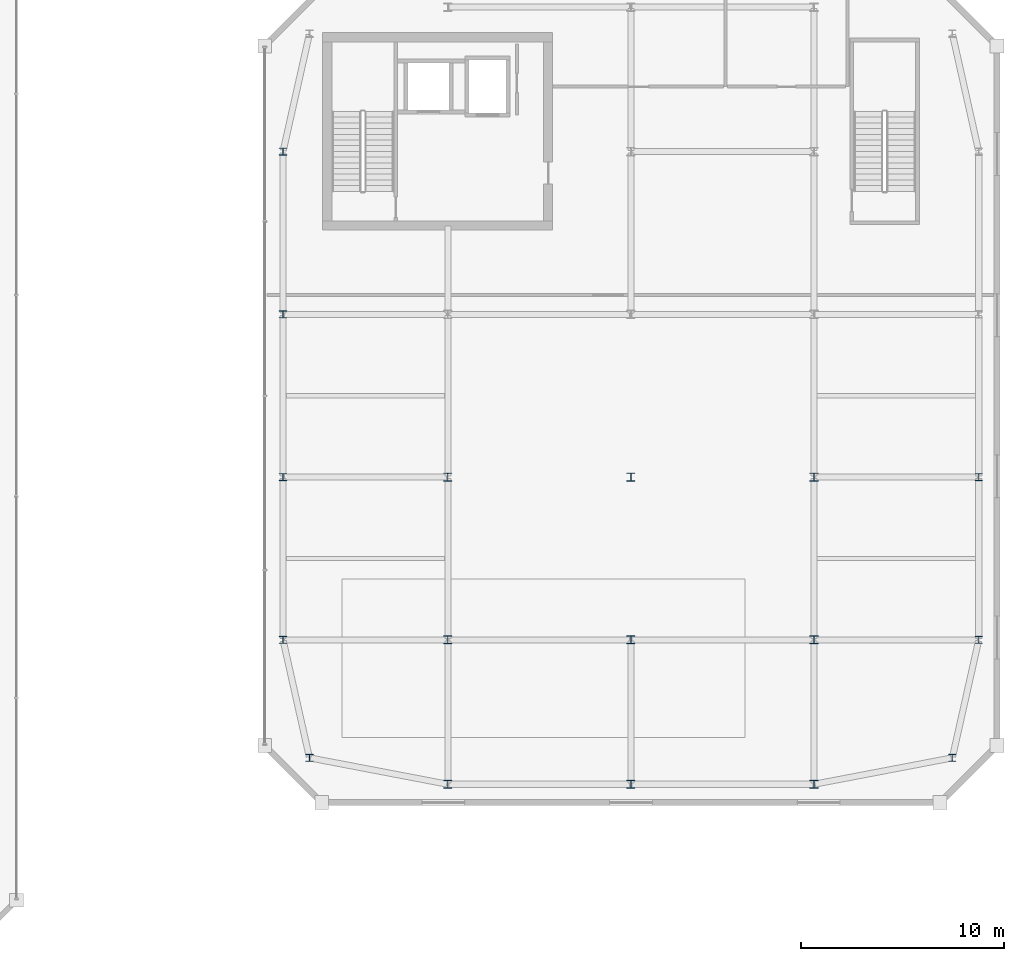
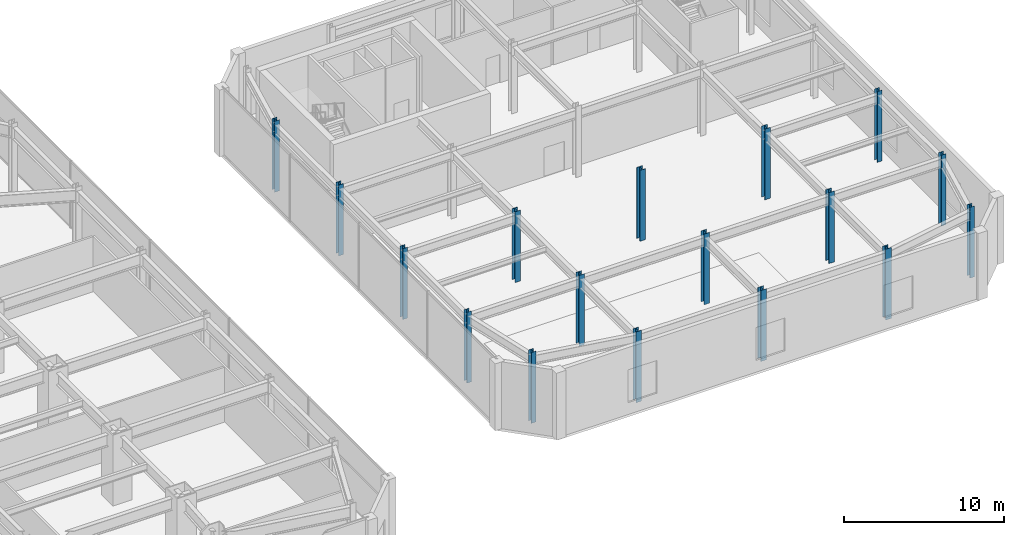
# One storey, part 6 of 51: 17 columns.
"""IFC4 building model written with IfcOpenShell, lengths in metres."""

from ifc_helpers import new_model, si_unit, direction, frame, origin, origin_2d, place, context, subcontext, project, spatial, i_section, extrude, material, material_profile, profile_set, type_object, element, save


model = new_model("IFC4")

# Units and contexts
model_context = context("Model", 3, precision=1e-05, world=origin(), true_north=direction((0.0, 1.0)))
body_context = subcontext(model_context, "Body", "Model", "MODEL_VIEW")
ifc_project = project(units=[si_unit("LENGTHUNIT", "METRE"), si_unit("AREAUNIT", "SQUARE_METRE"), si_unit("VOLUMEUNIT", "CUBIC_METRE"), si_unit("PLANEANGLEUNIT", "RADIAN"), si_unit("MASSUNIT", "GRAM", prefix="KILO")], contexts=[model_context])

# Site, building, storey
site_placement = place(None, origin())
site = spatial("IfcSite", under=ifc_project, at=site_placement, CompositionType="ELEMENT")
building_placement = place(site_placement, origin())
building = spatial("IfcBuilding", under=site, at=building_placement, Name="Saevonmaru Cultural Tower", CompositionType="ELEMENT")
storey_placement = place(building_placement, frame((0.0, 0.0, 6.0)))
storey = spatial("IfcBuildingStorey", under=building, at=storey_placement, Name="L01", CompositionType="ELEMENT", Elevation=6.0)

# Columns
ifc_material = material(Name="Steel SM355", Category="steel")
ifc_material_profile_1 = material_profile(ifc_material, i_section(OverallWidth=0.35009765625, OverallDepth=0.35009765625, WebThickness=0.011962890625, FlangeThickness=0.01904296875, FilletRadius=0.02001953125, at=origin_2d()), Name="H-350x350x12x19")
ifc_profile_set_1 = profile_set([ifc_material_profile_1], Name="Steel SM355")
column_type_1 = type_object("IfcColumnType", Name="COL-H-350", PredefinedType="COLUMN", material=ifc_profile_set_1)
for number, where, z_axis, x_axis, name in (
    (1, (74.39990234375, 10.199951171875, 0.0), (0.0, 0.0, 1.0), (1.0, 0.0, 0.0), "L01 Column LC-9-B"),
    (2, (73.10009765625, 16.0, 0.0), (0.0, 0.0, 1.0), (1.0, 0.0, 0.0), "L01 Column LC-9-C"),
    (3, (73.10009765625, 24.0, 0.0), (0.0, 0.0, 1.0), (1.0, 0.0, 0.0), "L01 Column LC-9-D"),
    (4, (73.10009765625, 32.0, 0.0), (0.0, 0.0, 1.0), (1.0, 0.0, 0.0), "L01 Column LC-9-E"),
    (5, (73.10009765625, 40.0, 0.0), (0.0, 0.0, 1.0), (1.0, 0.0, 0.0), "L01 Column LC-9-F"),
    (6, (106.0, 10.199951171875, 0.0), (0.0, 0.0, 1.0), (1.0, 0.0, 0.0), "L01 Column LC-13-B"),
    (7, (107.300048828125, 16.0, 0.0), (0.0, 0.0, 1.0), (1.0, 0.0, 0.0), "L01 Column LC-13-C"),
    (8, (107.300048828125, 24.0, 0.0), (0.0, 0.0, 1.0), (1.0, 0.0, 0.0), "L01 Column LC-13-D"),
):
    element("IfcColumn", number, at=place(storey_placement, frame(where, z_axis=z_axis, x_axis=x_axis)), inside=storey, type_object=column_type_1, Name=name, PredefinedType="COLUMN", context=body_context, shape_type="SweptSolid", body=[
        extrude(i_section(OverallWidth=0.35009765625, OverallDepth=0.35009765625, WebThickness=0.011962890625, FlangeThickness=0.01904296875, FilletRadius=0.02001953125, at=origin_2d()), origin(), (0.0, 0.0, 1.0), 5.39990234375),
    ])
ifc_material_profile_2 = material_profile(ifc_material, i_section(OverallWidth=0.39990234375, OverallDepth=0.39990234375, WebThickness=0.012939453125, FlangeThickness=0.02099609375, FilletRadius=0.02197265625, at=origin_2d()), Name="H-400x400x13x21")
ifc_profile_set_2 = profile_set([ifc_material_profile_2], Name="Steel SM355")
column_type_2 = type_object("IfcColumnType", Name="COL-H-400", PredefinedType="COLUMN", material=ifc_profile_set_2)
for number, where, z_axis, x_axis, name in (
    (9, (81.199951171875, 8.89990234375, 0.0), (0.0, 0.0, 1.0), (1.0, 0.0, 0.0), "L01 Column LC-10-B"),
    (10, (81.199951171875, 16.0, 0.0), (0.0, 0.0, 1.0), (1.0, 0.0, 0.0), "L01 Column LC-10-C"),
    (11, (81.199951171875, 24.0, 0.0), (0.0, 0.0, 1.0), (1.0, 0.0, 0.0), "L01 Column LC-10-D"),
    (12, (90.199951171875, 8.89990234375, 0.0), (0.0, 0.0, 1.0), (1.0, 0.0, 0.0), "L01 Column LC-11-B"),
    (13, (90.199951171875, 16.0, 0.0), (0.0, 0.0, 1.0), (1.0, 0.0, 0.0), "L01 Column LC-11-C"),
    (14, (90.199951171875, 24.0, 0.0), (0.0, 0.0, 1.0), (1.0, 0.0, 0.0), "L01 Column LC-11-D"),
    (15, (99.199951171875, 8.89990234375, 0.0), (0.0, 0.0, 1.0), (1.0, 0.0, 0.0), "L01 Column LC-12-B"),
    (16, (99.199951171875, 16.0, 0.0), (0.0, 0.0, 1.0), (1.0, 0.0, 0.0), "L01 Column LC-12-C"),
    (17, (99.199951171875, 24.0, 0.0), (0.0, 0.0, 1.0), (1.0, 0.0, 0.0), "L01 Column LC-12-D"),
):
    element("IfcColumn", number, at=place(storey_placement, frame(where, z_axis=z_axis, x_axis=x_axis)), inside=storey, type_object=column_type_2, Name=name, PredefinedType="COLUMN", context=body_context, shape_type="SweptSolid", body=[
        extrude(i_section(OverallWidth=0.39990234375, OverallDepth=0.39990234375, WebThickness=0.012939453125, FlangeThickness=0.02099609375, FilletRadius=0.02197265625, at=origin_2d()), origin(), (0.0, 0.0, 1.0), 5.39990234375),
    ])

save(model, "model.ifc")
